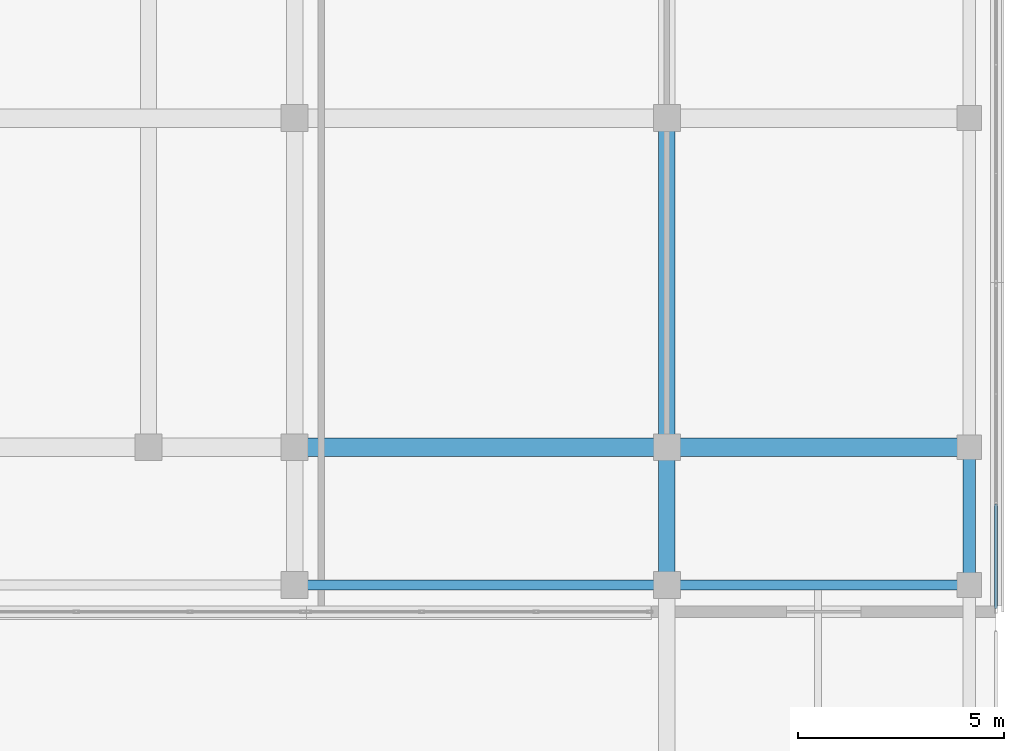
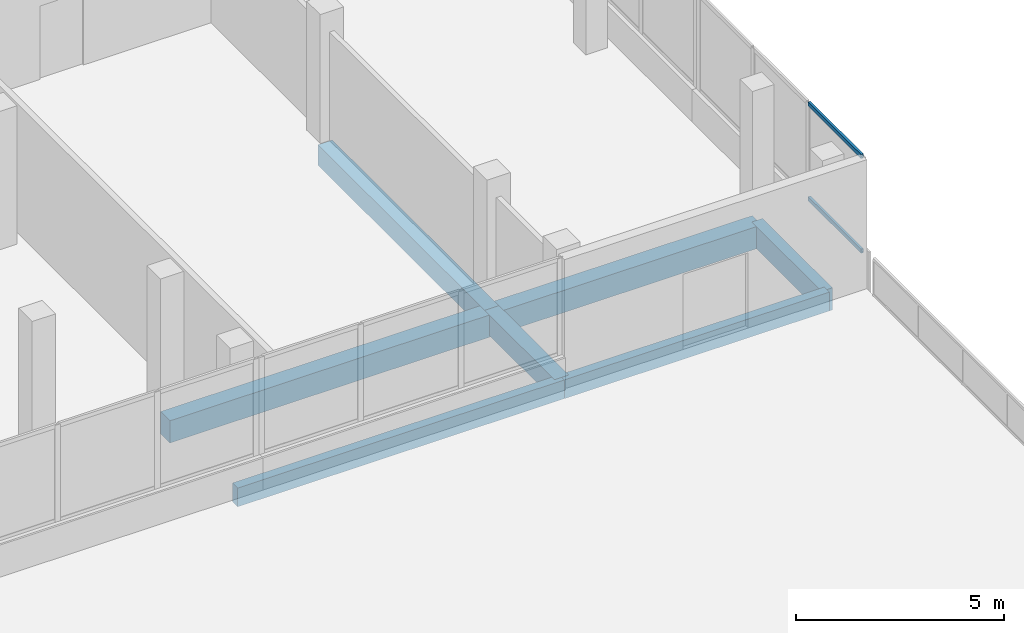
# One storey, part 51 of 76: 7 beams, 2 members, 1 element without a shape of its own.
"""IFC4 building model written with IfcOpenShell, lengths in metres."""

from ifc_helpers import new_model, si_unit, direction, frame, origin, origin_2d, place, context, subcontext, project, spatial, rectangle, hollow_rectangle, extrude, material, material_profile, profile_set, type_object, element, aggregate, save


model = new_model("IFC4")

# Units and contexts
model_context = context("Model", 3, precision=1e-05, world=origin(), true_north=direction((0.0, 1.0)))
body_context = subcontext(model_context, "Body", "Model", "MODEL_VIEW")
ifc_project = project(units=[si_unit("LENGTHUNIT", "METRE"), si_unit("AREAUNIT", "SQUARE_METRE"), si_unit("VOLUMEUNIT", "CUBIC_METRE"), si_unit("PLANEANGLEUNIT", "RADIAN"), si_unit("MASSUNIT", "GRAM", prefix="KILO")], contexts=[model_context])

# Site, building, storey
site_placement = place(None, origin())
site = spatial("IfcSite", under=ifc_project, at=site_placement, CompositionType="ELEMENT")
building_placement = place(site_placement, origin())
building = spatial("IfcBuilding", under=site, at=building_placement, Name="Selatvlak General Hospital", CompositionType="ELEMENT")
storey_placement = place(building_placement, frame((0.0, 0.0, 27.300048828125)))
storey = spatial("IfcBuildingStorey", under=building, at=storey_placement, Name="L06", CompositionType="ELEMENT", Elevation=27.300048828125)

# Beams
ifc_material_1 = material(Name="Concrete C40/50", Category="concrete")
ifc_material_profile_1 = material_profile(ifc_material_1, rectangle(XDim=0.449951171875, YDim=0.64990234375, at=origin_2d()), Name="RC-BM 450x650")
ifc_profile_set_1 = profile_set([ifc_material_profile_1], Name="Concrete C40/50")
beam_type_1 = type_object("IfcBeamType", Name="BM-G04", PredefinedType="BEAM", material=ifc_profile_set_1)
beam_1_placement = place(storey_placement, frame((164.949951171875, 92.0, -0.60009765625), z_axis=(1.0, 0.0, 0.0), x_axis=(0.0, 1.0, 0.0)))
element("IfcBeam", 1, at=beam_1_placement, inside=storey, type_object=beam_type_1, Name="Beam BMR-L06-2180", PredefinedType="BEAM", context=body_context, shape_type="SweptSolid", body=[
    extrude(rectangle(XDim=0.449951171875, YDim=0.64990234375, at=origin_2d()), origin(), (0.0, 0.0, 1.0), 9.050048828125),
])
beam_2_placement = place(storey_placement, frame((174.0, 92.0, -0.60009765625), z_axis=(1.0, 0.0, 0.0), x_axis=(0.0, 1.0, 0.0)))
element("IfcBeam", 2, at=beam_2_placement, inside=storey, type_object=beam_type_1, Name="Beam BMR-L06-2181", PredefinedType="BEAM", context=body_context, shape_type="SweptSolid", body=[
    extrude(rectangle(XDim=0.449951171875, YDim=0.64990234375, at=origin_2d()), origin(), (0.0, 0.0, 1.0), 7.35009765625),
])
ifc_material_profile_2 = material_profile(ifc_material_1, rectangle(XDim=0.39990234375, YDim=0.60009765625, at=origin_2d()), Name="RC-BM 400x600")
ifc_profile_set_2 = profile_set([ifc_material_profile_2], Name="Concrete C40/50")
beam_type_2 = type_object("IfcBeamType", Name="BM-G05", PredefinedType="BEAM", material=ifc_profile_set_2)
beam_3_placement = place(storey_placement, frame((174.0, 88.64990234375, -0.574951171875), z_axis=(0.0, 1.0, 0.0), x_axis=(-1.0, 0.0, 0.0)))
element("IfcBeam", 3, at=beam_3_placement, inside=storey, type_object=beam_type_2, Name="Beam BMR-L06-2339", PredefinedType="BEAM", context=body_context, shape_type="SweptSolid", body=[
    extrude(rectangle(XDim=0.39990234375, YDim=0.60009765625, at=origin_2d()), origin(), (0.0, 0.0, 1.0), 3.35009765625),
])
beam_4_placement = place(storey_placement, frame((174.0, 92.0, -0.574951171875), z_axis=(0.0, 1.0, 0.0), x_axis=(-1.0, 0.0, 0.0)))
element("IfcBeam", 4, at=beam_4_placement, inside=storey, type_object=beam_type_2, Name="Beam BMR-L06-2340", PredefinedType="BEAM", context=body_context, shape_type="SweptSolid", body=[
    extrude(rectangle(XDim=0.39990234375, YDim=0.60009765625, at=origin_2d()), origin(), (0.0, 0.0, 1.0), 8.0),
])
ifc_material_profile_3 = material_profile(ifc_material_1, rectangle(XDim=0.300048828125, YDim=0.64990234375, at=origin_2d()), Name="RC-SP 300x650")
ifc_profile_set_3 = profile_set([ifc_material_profile_3], Name="Concrete C40/50")
beam_type_3 = type_object("IfcBeamType", Name="BM-SP1", PredefinedType="SPANDREL", material=ifc_profile_set_3)
beam_5_placement = place(storey_placement, frame((181.35009765625, 88.64990234375, -0.60009765625), z_axis=(0.0, 1.0, 0.0), x_axis=(-1.0, 0.0, 0.0)))
element("IfcBeam", 5, at=beam_5_placement, inside=storey, type_object=beam_type_3, Name="Beam BMR-L06-2349", PredefinedType="SPANDREL", context=body_context, shape_type="SweptSolid", body=[
    extrude(rectangle(XDim=0.300048828125, YDim=0.64990234375, at=origin_2d()), origin(), (0.0, 0.0, 1.0), 3.35009765625),
])
ifc_material_profile_4 = material_profile(ifc_material_1, rectangle(XDim=0.25, YDim=0.550048828125, at=origin_2d()), Name="RC-SP 250x550")
ifc_profile_set_4 = profile_set([ifc_material_profile_4], Name="Concrete C40/50")
beam_type_4 = type_object("IfcBeamType", Name="BM-SP2", PredefinedType="SPANDREL", material=ifc_profile_set_4)
beam_6_placement = place(storey_placement, frame((164.949951171875, 88.64990234375, -0.550048828125), z_axis=(1.0, 0.0, 0.0), x_axis=(0.0, 1.0, 0.0)))
element("IfcBeam", 6, at=beam_6_placement, inside=storey, type_object=beam_type_4, Name="Beam BMR-L06-2160", PredefinedType="SPANDREL", context=body_context, shape_type="SweptSolid", body=[
    extrude(rectangle(XDim=0.25, YDim=0.550048828125, at=origin_2d()), origin(), (0.0, 0.0, 1.0), 9.050048828125),
])
beam_7_placement = place(storey_placement, frame((174.0, 88.64990234375, -0.550048828125), z_axis=(1.0, 0.0, 0.0), x_axis=(0.0, 1.0, 0.0)))
element("IfcBeam", 7, at=beam_7_placement, inside=storey, type_object=beam_type_4, Name="Beam BMR-L06-2161", PredefinedType="SPANDREL", context=body_context, shape_type="SweptSolid", body=[
    extrude(rectangle(XDim=0.25, YDim=0.550048828125, at=origin_2d()), origin(), (0.0, 0.0, 1.0), 7.35009765625),
])

# Curtain wall, members
ifc_material_2 = material(Name="Solar-control Low-E double glazing", Category="glass")
curtain_wall_type = type_object("IfcCurtainWallType", Name="CW-CW-01", PredefinedType="USERDEFINED", material=ifc_material_2)
curtain_wall_placement = place(storey_placement, origin())
curtain_wall = element("IfcCurtainWall", 8, at=curtain_wall_placement, inside=storey, type_object=curtain_wall_type, Name="Glazed facade curtain wall CW-L06-0620", ObjectType="UNITISED CURTAIN WALL", PredefinedType="USERDEFINED")
ifc_material_3 = material(Name="Dark anodised aluminium mullion", Category="aluminium")
ifc_material_profile_5 = material_profile(ifc_material_3, hollow_rectangle(XDim=0.06494140625, YDim=0.1201171875, WallThickness=0.00390625, at=origin_2d()), Name="AL-TRN 65x120x4")
ifc_profile_set_5 = profile_set([ifc_material_profile_5], Name="Dark anodised aluminium mullion")
member_type = type_object("IfcMemberType", Name="CWT-01", PredefinedType="USERDEFINED", material=ifc_profile_set_5)
member_1_placement = place(storey_placement, frame((182.0, 90.62353515625, 0.972412109375), z_axis=(0.0, -1.0, 0.0), x_axis=(1.0, 0.0, 0.0)))
member_1 = element("IfcMember", 9, at=member_1_placement, type_object=member_type, Name="CW-01 transom 3.1", ObjectType="TRANSOM", PredefinedType="USERDEFINED", context=body_context, shape_type="SweptSolid", body=[
    extrude(hollow_rectangle(XDim=0.06494140625, YDim=0.1201171875, WallThickness=0.00390625, at=origin_2d()), origin(), (0.0, 0.0, 1.0), 2.54248046875),
])
member_2_placement = place(storey_placement, frame((182.0, 90.62353515625, 3.74755859375), z_axis=(0.0, -1.0, 0.0), x_axis=(1.0, 0.0, 0.0)))
member_2 = element("IfcMember", 10, at=member_2_placement, type_object=member_type, Name="CW-01 transom 3.2", ObjectType="TRANSOM", PredefinedType="USERDEFINED", context=body_context, shape_type="SweptSolid", body=[
    extrude(hollow_rectangle(XDim=0.06494140625, YDim=0.1201171875, WallThickness=0.00390625, at=origin_2d()), origin(), (0.0, 0.0, 1.0), 2.54248046875),
])
aggregate(curtain_wall, [member_1, member_2])

save(model, "model.ifc")
